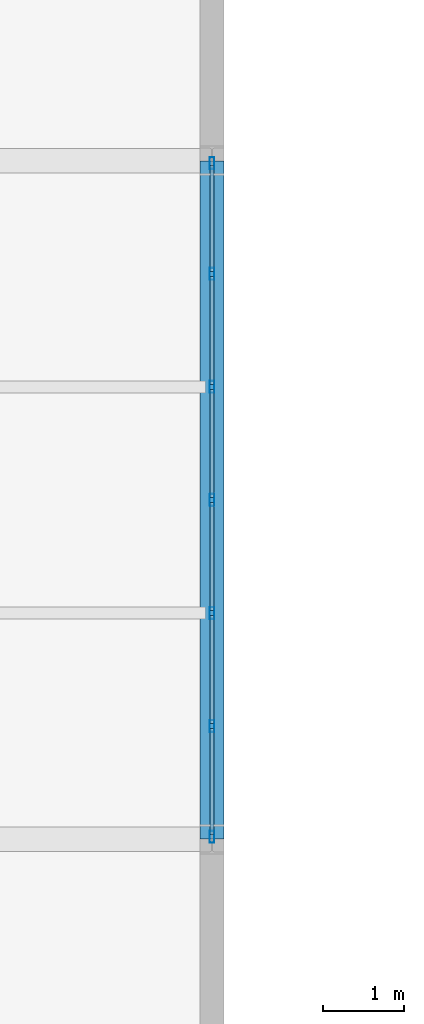
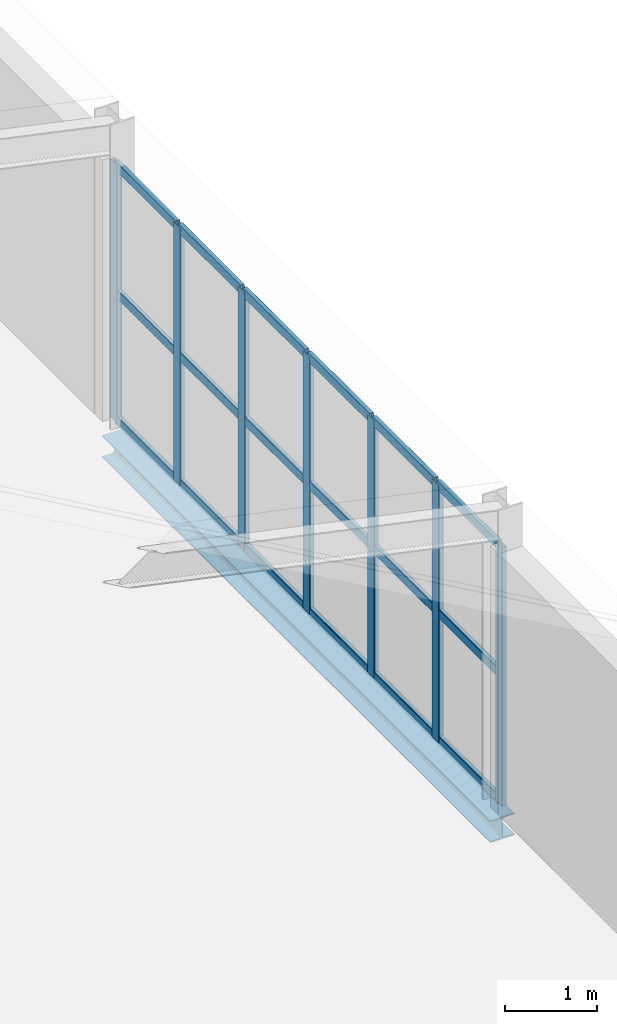
# One storey, part 113 of 184: 25 members, 1 beam, 1 element without a shape of its own.
"""IFC4 building model written with IfcOpenShell, lengths in metres."""

from ifc_helpers import new_model, si_unit, direction, frame, origin, origin_2d, place, context, subcontext, project, spatial, hollow_rectangle, i_section, extrude, material, layer, layer_set, material_profile, profile_set, type_object, element, aggregate, save


model = new_model("IFC4")

# Units and contexts
model_context = context("Model", 3, precision=1e-05, world=origin(), true_north=direction((0.0, 1.0)))
body_context = subcontext(model_context, "Body", "Model", "MODEL_VIEW")
ifc_project = project(units=[si_unit("LENGTHUNIT", "METRE"), si_unit("AREAUNIT", "SQUARE_METRE"), si_unit("VOLUMEUNIT", "CUBIC_METRE"), si_unit("PLANEANGLEUNIT", "RADIAN"), si_unit("MASSUNIT", "GRAM", prefix="KILO")], contexts=[model_context])

# Site, building, storey
site_placement = place(None, origin())
site = spatial("IfcSite", under=ifc_project, at=site_placement, CompositionType="ELEMENT")
building_placement = place(site_placement, origin())
building = spatial("IfcBuilding", under=site, at=building_placement, Name="Qalvenar Corner Mobility Hub", CompositionType="ELEMENT")
storey_placement = place(building_placement, frame((0.0, 0.0, 9.0)))
storey = spatial("IfcBuildingStorey", under=building, at=storey_placement, Name="L02", CompositionType="ELEMENT", Elevation=9.0)

# Beam
ifc_material_1 = material(Name="Steel S355", Category="steel")
ifc_material_profile_1 = material_profile(ifc_material_1, i_section(OverallWidth=0.300048828125, OverallDepth=0.2900390625, WebThickness=0.008544921875, FlangeThickness=0.013916015625, FilletRadius=0.027099609375, at=origin_2d()), Name="HEA300")
ifc_profile_set_1 = profile_set([ifc_material_profile_1], Name="Steel S355")
beam_type = type_object("IfcBeamType", Name="BM-SPN300", PredefinedType="SPANDREL", material=ifc_profile_set_1)
beam_placement = place(storey_placement, frame((33.60009765625, 67.199951171875, -0.324951171875), z_axis=(0.0, 1.0, 0.0), x_axis=(-1.0, 0.0, 0.0)))
element("IfcBeam", 1, at=beam_placement, inside=storey, type_object=beam_type, Name="Primary Steel Girder GY-1862", PredefinedType="SPANDREL", context=body_context, shape_type="SweptSolid", body=[
    extrude(i_section(OverallWidth=0.300048828125, OverallDepth=0.2900390625, WebThickness=0.008544921875, FlangeThickness=0.013916015625, FilletRadius=0.027099609375, at=origin_2d()), origin(), (0.0, 0.0, 1.0), 8.400146484375),
])

# Curtain wall, members
ifc_material_2 = material(Name="Anodised Aluminium and Low-E Glazing", Category="aluminium")
ifc_layer = layer(ifc_material_2, 0.14990234375)
ifc_layer_set = layer_set([ifc_layer], Name="Anodised Aluminium and Low-E Glazing")
curtain_wall_type = type_object("IfcCurtainWallType", Name="CW-CYC-84X39", PredefinedType="NOTDEFINED", material=ifc_layer_set)
curtain_wall_placement = place(storey_placement, origin())
curtain_wall = element("IfcCurtainWall", 2, at=curtain_wall_placement, inside=storey, type_object=curtain_wall_type, Name="Glazed Curtain Wall CW-V5-L02-E3", PredefinedType="NOTDEFINED")
ifc_material_3 = material(Name="Anodised Aluminium 6063-T6", Category="aluminium")
ifc_material_profile_2 = material_profile(ifc_material_3, hollow_rectangle(XDim=0.06005859375, YDim=0.14990234375, WallThickness=0.00390625, InnerFilletRadius=0.00390625, OuterFilletRadius=0.008056640625, at=origin_2d()), Name="RHS150x60x4")
ifc_profile_set_2 = profile_set([ifc_material_profile_2], Name="Anodised Aluminium 6063-T6")
member_type_1 = type_object("IfcMemberType", Name="CW-MUL150", PredefinedType="MULLION", material=ifc_profile_set_2)
member_1_placement = place(storey_placement, frame((33.60009765625, 67.22998046875, 0.0), z_axis=(0.0, 0.0, 1.0), x_axis=(-1.0, 0.0, 0.0)))
member_1 = element("IfcMember", 3, at=member_1_placement, type_object=member_type_1, Name="CW-08 mullion 1", PredefinedType="MULLION", context=body_context, shape_type="SweptSolid", body=[
    extrude(hollow_rectangle(XDim=0.06005859375, YDim=0.14990234375, WallThickness=0.00390625, InnerFilletRadius=0.00390625, OuterFilletRadius=0.008056640625, at=origin_2d()), origin(), (0.0, 0.0, 1.0), 3.409912109375),
])
member_2_placement = place(storey_placement, frame((33.60009765625, 68.60009765625, 0.0), z_axis=(0.0, 0.0, 1.0), x_axis=(-1.0, 0.0, 0.0)))
member_2 = element("IfcMember", 4, at=member_2_placement, type_object=member_type_1, Name="CW-08 mullion 2", PredefinedType="MULLION", context=body_context, shape_type="SweptSolid", body=[
    extrude(hollow_rectangle(XDim=0.06005859375, YDim=0.14990234375, WallThickness=0.00390625, InnerFilletRadius=0.00390625, OuterFilletRadius=0.008056640625, at=origin_2d()), origin(), (0.0, 0.0, 1.0), 3.409912109375),
])
member_3_placement = place(storey_placement, frame((33.60009765625, 70.0, 0.0), z_axis=(0.0, 0.0, 1.0), x_axis=(-1.0, 0.0, 0.0)))
member_3 = element("IfcMember", 5, at=member_3_placement, type_object=member_type_1, Name="CW-08 mullion 3", PredefinedType="MULLION", context=body_context, shape_type="SweptSolid", body=[
    extrude(hollow_rectangle(XDim=0.06005859375, YDim=0.14990234375, WallThickness=0.00390625, InnerFilletRadius=0.00390625, OuterFilletRadius=0.008056640625, at=origin_2d()), origin(), (0.0, 0.0, 1.0), 3.409912109375),
])
member_4_placement = place(storey_placement, frame((33.60009765625, 71.39990234375, 0.0), z_axis=(0.0, 0.0, 1.0), x_axis=(-1.0, 0.0, 0.0)))
member_4 = element("IfcMember", 6, at=member_4_placement, type_object=member_type_1, Name="CW-08 mullion 4", PredefinedType="MULLION", context=body_context, shape_type="SweptSolid", body=[
    extrude(hollow_rectangle(XDim=0.06005859375, YDim=0.14990234375, WallThickness=0.00390625, InnerFilletRadius=0.00390625, OuterFilletRadius=0.008056640625, at=origin_2d()), origin(), (0.0, 0.0, 1.0), 3.409912109375),
])
member_5_placement = place(storey_placement, frame((33.60009765625, 72.800048828125, 0.0), z_axis=(0.0, 0.0, 1.0), x_axis=(-1.0, 0.0, 0.0)))
member_5 = element("IfcMember", 7, at=member_5_placement, type_object=member_type_1, Name="CW-08 mullion 5", PredefinedType="MULLION", context=body_context, shape_type="SweptSolid", body=[
    extrude(hollow_rectangle(XDim=0.06005859375, YDim=0.14990234375, WallThickness=0.00390625, InnerFilletRadius=0.00390625, OuterFilletRadius=0.008056640625, at=origin_2d()), origin(), (0.0, 0.0, 1.0), 3.409912109375),
])
member_6_placement = place(storey_placement, frame((33.60009765625, 74.199951171875, 0.0), z_axis=(0.0, 0.0, 1.0), x_axis=(-1.0, 0.0, 0.0)))
member_6 = element("IfcMember", 8, at=member_6_placement, type_object=member_type_1, Name="CW-08 mullion 6", PredefinedType="MULLION", context=body_context, shape_type="SweptSolid", body=[
    extrude(hollow_rectangle(XDim=0.06005859375, YDim=0.14990234375, WallThickness=0.00390625, InnerFilletRadius=0.00390625, OuterFilletRadius=0.008056640625, at=origin_2d()), origin(), (0.0, 0.0, 1.0), 3.409912109375),
])
member_7_placement = place(storey_placement, frame((33.60009765625, 75.570068359375, 0.0), z_axis=(0.0, 0.0, 1.0), x_axis=(-1.0, 0.0, 0.0)))
member_7 = element("IfcMember", 9, at=member_7_placement, type_object=member_type_1, Name="CW-08 mullion 7", PredefinedType="MULLION", context=body_context, shape_type="SweptSolid", body=[
    extrude(hollow_rectangle(XDim=0.06005859375, YDim=0.14990234375, WallThickness=0.00390625, InnerFilletRadius=0.00390625, OuterFilletRadius=0.008056640625, at=origin_2d()), origin(), (0.0, 0.0, 1.0), 3.409912109375),
])
ifc_material_profile_3 = material_profile(ifc_material_3, hollow_rectangle(XDim=0.054931640625, YDim=0.1201171875, WallThickness=0.00341796875, InnerFilletRadius=0.00341796875, OuterFilletRadius=0.007080078125, at=origin_2d()), Name="RHS120x55x3.5")
ifc_profile_set_3 = profile_set([ifc_material_profile_3], Name="Anodised Aluminium 6063-T6")
member_type_2 = type_object("IfcMemberType", Name="CW-TRN120", PredefinedType="USERDEFINED", material=ifc_profile_set_3)
member_8_placement = place(storey_placement, frame((33.60009765625, 67.260009765625, 0.027587890625), z_axis=(0.0, 1.0, 0.0), x_axis=(-1.0, 0.0, 0.0)))
member_8 = element("IfcMember", 10, at=member_8_placement, type_object=member_type_2, Name="CW-08 transom 1.1", ObjectType="TRANSOM", PredefinedType="USERDEFINED", context=body_context, shape_type="SweptSolid", body=[
    extrude(hollow_rectangle(XDim=0.054931640625, YDim=0.1201171875, WallThickness=0.00341796875, InnerFilletRadius=0.00341796875, OuterFilletRadius=0.007080078125, at=origin_2d()), origin(), (0.0, 0.0, 1.0), 1.31005859375),
])
member_9_placement = place(storey_placement, frame((33.60009765625, 67.260009765625, 1.705078125), z_axis=(0.0, 1.0, 0.0), x_axis=(-1.0, 0.0, 0.0)))
member_9 = element("IfcMember", 11, at=member_9_placement, type_object=member_type_2, Name="CW-08 transom 1.2", ObjectType="TRANSOM", PredefinedType="USERDEFINED", context=body_context, shape_type="SweptSolid", body=[
    extrude(hollow_rectangle(XDim=0.054931640625, YDim=0.1201171875, WallThickness=0.00341796875, InnerFilletRadius=0.00341796875, OuterFilletRadius=0.007080078125, at=origin_2d()), origin(), (0.0, 0.0, 1.0), 1.31005859375),
])
member_10_placement = place(storey_placement, frame((33.60009765625, 67.260009765625, 3.382568359375), z_axis=(0.0, 1.0, 0.0), x_axis=(-1.0, 0.0, 0.0)))
member_10 = element("IfcMember", 12, at=member_10_placement, type_object=member_type_2, Name="CW-08 transom 1.3", ObjectType="TRANSOM", PredefinedType="USERDEFINED", context=body_context, shape_type="SweptSolid", body=[
    extrude(hollow_rectangle(XDim=0.054931640625, YDim=0.1201171875, WallThickness=0.00341796875, InnerFilletRadius=0.00341796875, OuterFilletRadius=0.007080078125, at=origin_2d()), origin(), (0.0, 0.0, 1.0), 1.31005859375),
])
member_11_placement = place(storey_placement, frame((33.60009765625, 68.6298828125, 0.027587890625), z_axis=(0.0, 1.0, 0.0), x_axis=(-1.0, 0.0, 0.0)))
member_11 = element("IfcMember", 13, at=member_11_placement, type_object=member_type_2, Name="CW-08 transom 2.1", ObjectType="TRANSOM", PredefinedType="USERDEFINED", context=body_context, shape_type="SweptSolid", body=[
    extrude(hollow_rectangle(XDim=0.054931640625, YDim=0.1201171875, WallThickness=0.00341796875, InnerFilletRadius=0.00341796875, OuterFilletRadius=0.007080078125, at=origin_2d()), origin(), (0.0, 0.0, 1.0), 1.340087890625),
])
member_12_placement = place(storey_placement, frame((33.60009765625, 68.6298828125, 1.705078125), z_axis=(0.0, 1.0, 0.0), x_axis=(-1.0, 0.0, 0.0)))
member_12 = element("IfcMember", 14, at=member_12_placement, type_object=member_type_2, Name="CW-08 transom 2.2", ObjectType="TRANSOM", PredefinedType="USERDEFINED", context=body_context, shape_type="SweptSolid", body=[
    extrude(hollow_rectangle(XDim=0.054931640625, YDim=0.1201171875, WallThickness=0.00341796875, InnerFilletRadius=0.00341796875, OuterFilletRadius=0.007080078125, at=origin_2d()), origin(), (0.0, 0.0, 1.0), 1.340087890625),
])
member_13_placement = place(storey_placement, frame((33.60009765625, 68.6298828125, 3.382568359375), z_axis=(0.0, 1.0, 0.0), x_axis=(-1.0, 0.0, 0.0)))
member_13 = element("IfcMember", 15, at=member_13_placement, type_object=member_type_2, Name="CW-08 transom 2.3", ObjectType="TRANSOM", PredefinedType="USERDEFINED", context=body_context, shape_type="SweptSolid", body=[
    extrude(hollow_rectangle(XDim=0.054931640625, YDim=0.1201171875, WallThickness=0.00341796875, InnerFilletRadius=0.00341796875, OuterFilletRadius=0.007080078125, at=origin_2d()), origin(), (0.0, 0.0, 1.0), 1.340087890625),
])
member_14_placement = place(storey_placement, frame((33.60009765625, 70.030029296875, 0.027587890625), z_axis=(0.0, 1.0, 0.0), x_axis=(-1.0, 0.0, 0.0)))
member_14 = element("IfcMember", 16, at=member_14_placement, type_object=member_type_2, Name="CW-08 transom 3.1", ObjectType="TRANSOM", PredefinedType="USERDEFINED", context=body_context, shape_type="SweptSolid", body=[
    extrude(hollow_rectangle(XDim=0.054931640625, YDim=0.1201171875, WallThickness=0.00341796875, InnerFilletRadius=0.00341796875, OuterFilletRadius=0.007080078125, at=origin_2d()), origin(), (0.0, 0.0, 1.0), 1.340087890625),
])
member_15_placement = place(storey_placement, frame((33.60009765625, 70.030029296875, 1.705078125), z_axis=(0.0, 1.0, 0.0), x_axis=(-1.0, 0.0, 0.0)))
member_15 = element("IfcMember", 17, at=member_15_placement, type_object=member_type_2, Name="CW-08 transom 3.2", ObjectType="TRANSOM", PredefinedType="USERDEFINED", context=body_context, shape_type="SweptSolid", body=[
    extrude(hollow_rectangle(XDim=0.054931640625, YDim=0.1201171875, WallThickness=0.00341796875, InnerFilletRadius=0.00341796875, OuterFilletRadius=0.007080078125, at=origin_2d()), origin(), (0.0, 0.0, 1.0), 1.340087890625),
])
member_16_placement = place(storey_placement, frame((33.60009765625, 70.030029296875, 3.382568359375), z_axis=(0.0, 1.0, 0.0), x_axis=(-1.0, 0.0, 0.0)))
member_16 = element("IfcMember", 18, at=member_16_placement, type_object=member_type_2, Name="CW-08 transom 3.3", ObjectType="TRANSOM", PredefinedType="USERDEFINED", context=body_context, shape_type="SweptSolid", body=[
    extrude(hollow_rectangle(XDim=0.054931640625, YDim=0.1201171875, WallThickness=0.00341796875, InnerFilletRadius=0.00341796875, OuterFilletRadius=0.007080078125, at=origin_2d()), origin(), (0.0, 0.0, 1.0), 1.340087890625),
])
member_17_placement = place(storey_placement, frame((33.60009765625, 71.429931640625, 0.027587890625), z_axis=(0.0, 1.0, 0.0), x_axis=(-1.0, 0.0, 0.0)))
member_17 = element("IfcMember", 19, at=member_17_placement, type_object=member_type_2, Name="CW-08 transom 4.1", ObjectType="TRANSOM", PredefinedType="USERDEFINED", context=body_context, shape_type="SweptSolid", body=[
    extrude(hollow_rectangle(XDim=0.054931640625, YDim=0.1201171875, WallThickness=0.00341796875, InnerFilletRadius=0.00341796875, OuterFilletRadius=0.007080078125, at=origin_2d()), origin(), (0.0, 0.0, 1.0), 1.340087890625),
])
member_18_placement = place(storey_placement, frame((33.60009765625, 71.429931640625, 1.705078125), z_axis=(0.0, 1.0, 0.0), x_axis=(-1.0, 0.0, 0.0)))
member_18 = element("IfcMember", 20, at=member_18_placement, type_object=member_type_2, Name="CW-08 transom 4.2", ObjectType="TRANSOM", PredefinedType="USERDEFINED", context=body_context, shape_type="SweptSolid", body=[
    extrude(hollow_rectangle(XDim=0.054931640625, YDim=0.1201171875, WallThickness=0.00341796875, InnerFilletRadius=0.00341796875, OuterFilletRadius=0.007080078125, at=origin_2d()), origin(), (0.0, 0.0, 1.0), 1.340087890625),
])
member_19_placement = place(storey_placement, frame((33.60009765625, 71.429931640625, 3.382568359375), z_axis=(0.0, 1.0, 0.0), x_axis=(-1.0, 0.0, 0.0)))
member_19 = element("IfcMember", 21, at=member_19_placement, type_object=member_type_2, Name="CW-08 transom 4.3", ObjectType="TRANSOM", PredefinedType="USERDEFINED", context=body_context, shape_type="SweptSolid", body=[
    extrude(hollow_rectangle(XDim=0.054931640625, YDim=0.1201171875, WallThickness=0.00341796875, InnerFilletRadius=0.00341796875, OuterFilletRadius=0.007080078125, at=origin_2d()), origin(), (0.0, 0.0, 1.0), 1.340087890625),
])
member_20_placement = place(storey_placement, frame((33.60009765625, 72.830078125, 0.027587890625), z_axis=(0.0, 1.0, 0.0), x_axis=(-1.0, 0.0, 0.0)))
member_20 = element("IfcMember", 22, at=member_20_placement, type_object=member_type_2, Name="CW-08 transom 5.1", ObjectType="TRANSOM", PredefinedType="USERDEFINED", context=body_context, shape_type="SweptSolid", body=[
    extrude(hollow_rectangle(XDim=0.054931640625, YDim=0.1201171875, WallThickness=0.00341796875, InnerFilletRadius=0.00341796875, OuterFilletRadius=0.007080078125, at=origin_2d()), origin(), (0.0, 0.0, 1.0), 1.33984375),
])
member_21_placement = place(storey_placement, frame((33.60009765625, 72.830078125, 1.705078125), z_axis=(0.0, 1.0, 0.0), x_axis=(-1.0, 0.0, 0.0)))
member_21 = element("IfcMember", 23, at=member_21_placement, type_object=member_type_2, Name="CW-08 transom 5.2", ObjectType="TRANSOM", PredefinedType="USERDEFINED", context=body_context, shape_type="SweptSolid", body=[
    extrude(hollow_rectangle(XDim=0.054931640625, YDim=0.1201171875, WallThickness=0.00341796875, InnerFilletRadius=0.00341796875, OuterFilletRadius=0.007080078125, at=origin_2d()), origin(), (0.0, 0.0, 1.0), 1.33984375),
])
member_22_placement = place(storey_placement, frame((33.60009765625, 72.830078125, 3.382568359375), z_axis=(0.0, 1.0, 0.0), x_axis=(-1.0, 0.0, 0.0)))
member_22 = element("IfcMember", 24, at=member_22_placement, type_object=member_type_2, Name="CW-08 transom 5.3", ObjectType="TRANSOM", PredefinedType="USERDEFINED", context=body_context, shape_type="SweptSolid", body=[
    extrude(hollow_rectangle(XDim=0.054931640625, YDim=0.1201171875, WallThickness=0.00341796875, InnerFilletRadius=0.00341796875, OuterFilletRadius=0.007080078125, at=origin_2d()), origin(), (0.0, 0.0, 1.0), 1.33984375),
])
member_23_placement = place(storey_placement, frame((33.60009765625, 74.22998046875, 0.027587890625), z_axis=(0.0, 1.0, 0.0), x_axis=(-1.0, 0.0, 0.0)))
member_23 = element("IfcMember", 25, at=member_23_placement, type_object=member_type_2, Name="CW-08 transom 6.1", ObjectType="TRANSOM", PredefinedType="USERDEFINED", context=body_context, shape_type="SweptSolid", body=[
    extrude(hollow_rectangle(XDim=0.054931640625, YDim=0.1201171875, WallThickness=0.00341796875, InnerFilletRadius=0.00341796875, OuterFilletRadius=0.007080078125, at=origin_2d()), origin(), (0.0, 0.0, 1.0), 1.31005859375),
])
member_24_placement = place(storey_placement, frame((33.60009765625, 74.22998046875, 1.705078125), z_axis=(0.0, 1.0, 0.0), x_axis=(-1.0, 0.0, 0.0)))
member_24 = element("IfcMember", 26, at=member_24_placement, type_object=member_type_2, Name="CW-08 transom 6.2", ObjectType="TRANSOM", PredefinedType="USERDEFINED", context=body_context, shape_type="SweptSolid", body=[
    extrude(hollow_rectangle(XDim=0.054931640625, YDim=0.1201171875, WallThickness=0.00341796875, InnerFilletRadius=0.00341796875, OuterFilletRadius=0.007080078125, at=origin_2d()), origin(), (0.0, 0.0, 1.0), 1.31005859375),
])
member_25_placement = place(storey_placement, frame((33.60009765625, 74.22998046875, 3.382568359375), z_axis=(0.0, 1.0, 0.0), x_axis=(-1.0, 0.0, 0.0)))
member_25 = element("IfcMember", 27, at=member_25_placement, type_object=member_type_2, Name="CW-08 transom 6.3", ObjectType="TRANSOM", PredefinedType="USERDEFINED", context=body_context, shape_type="SweptSolid", body=[
    extrude(hollow_rectangle(XDim=0.054931640625, YDim=0.1201171875, WallThickness=0.00341796875, InnerFilletRadius=0.00341796875, OuterFilletRadius=0.007080078125, at=origin_2d()), origin(), (0.0, 0.0, 1.0), 1.31005859375),
])
aggregate(curtain_wall, [member_1, member_2, member_3, member_4, member_5, member_6, member_7, member_8, member_9, member_10, member_11, member_12, member_13, member_14, member_15, member_16, member_17, member_18, member_19, member_20, member_21, member_22, member_23, member_24, member_25])

save(model, "model.ifc")
